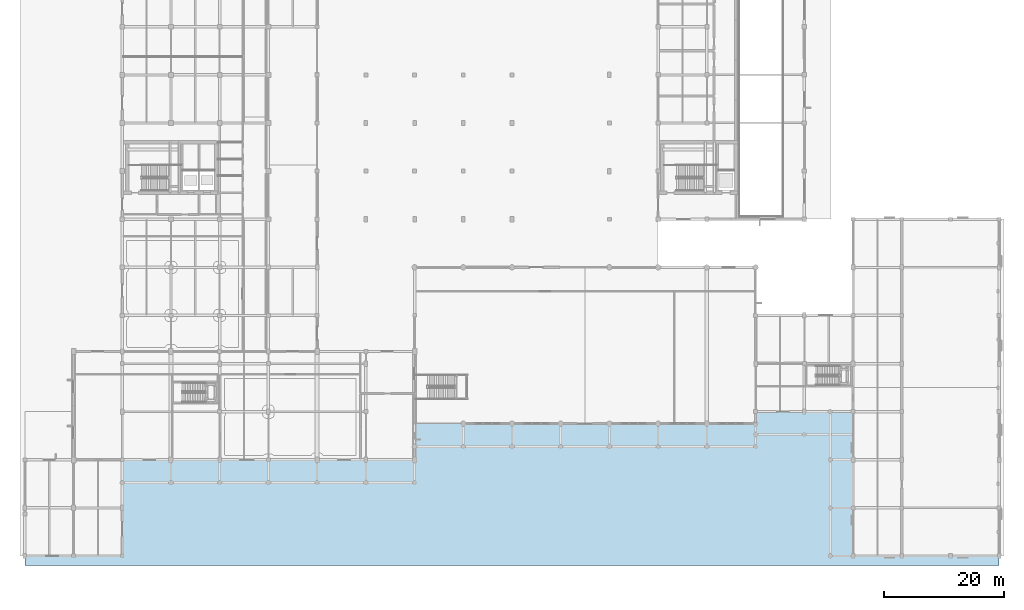
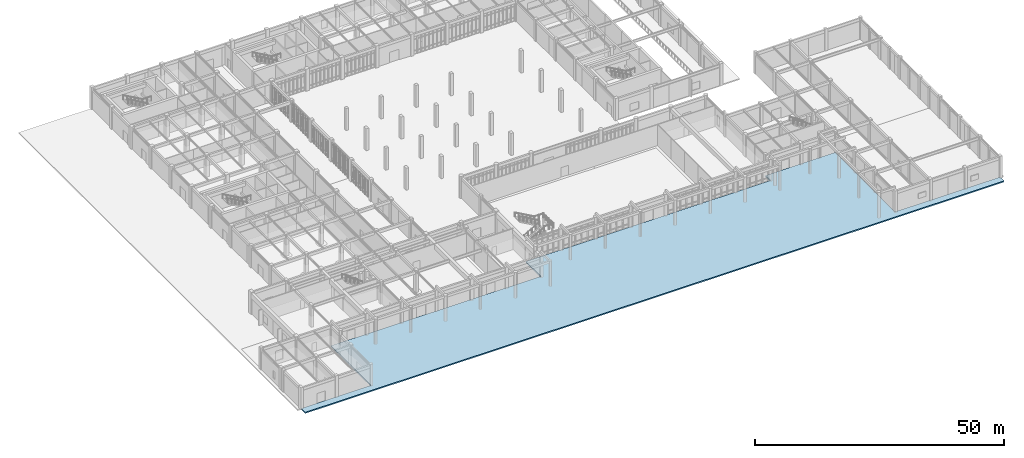
# One storey, part 30 of 62: 1 slab.
"""IFC4 building model written with IfcOpenShell, lengths in metres."""

import ifcopenshell
import ifcopenshell.guid

model = None  # the IFC model being written
_history = None  # IfcOwnerHistory: only IFC2X3 demands one
_inside = {}  # id of a spatial element -> (the spatial element, [elements in it])
_under = {}  # id of a project, library or spatial element -> (it, [spatial elements below it])
_declared = {}  # id of a project -> (the project, [libraries it declares])
_typed = {}  # id of a type object -> (the type object, [elements of that type])
_made_of = {}  # id of a material, layer set ... -> (it, [elements and type objects made of it])


def new_model(schema):
    """Start an empty IFC model of exactly this schema.

    Asked for "IFC4X3", IfcOpenShell would pick the latest addendum, in which some entities
    have other attributes; the version numbers below select the first issue.
    IFC2X3 requires an IfcOwnerHistory on every rooted entity: one is made here for all.
    """
    global model, _history
    if schema == "IFC4X3":
        model = ifcopenshell.file(schema_version=(4, 3, 0, 0))
    else:
        model = ifcopenshell.file(schema=schema)
    _inside.clear()
    _under.clear()
    _declared.clear()
    _typed.clear()
    _made_of.clear()
    _history = None
    if model.schema == "IFC2X3":
        org = make("IfcOrganization", Name="unknown")
        user = make(
            "IfcPersonAndOrganization",
            ThePerson=make("IfcPerson", FamilyName="unknown"),
            TheOrganization=org,
        )
        app = make(
            "IfcApplication",
            ApplicationDeveloper=org,
            Version="unknown",
            ApplicationFullName="unknown",
            ApplicationIdentifier="unknown",
        )
        _history = make(
            "IfcOwnerHistory",
            OwningUser=user,
            OwningApplication=app,
            ChangeAction="ADDED",
            CreationDate=0,
        )
    return model


def make(cls, **values):
    """One entity of the class cls with the attributes given. An attribute that is None is left unset."""
    return model.create_entity(
        cls, **{name: value for name, value in values.items() if value is not None}
    )


def rooted(cls, **values):
    """An entity with a GlobalId (a new one), such as an element, a storey or a relation."""
    return make(cls, GlobalId=ifcopenshell.guid.new(), OwnerHistory=_history, **values)


def si_unit(unit_type, name, prefix=None):
    """IfcSIUnit, for example si_unit("LENGTHUNIT", "METRE", prefix="MILLI")."""
    return make("IfcSIUnit", UnitType=unit_type, Prefix=prefix, Name=name)


def assignment(units):
    """IfcUnitAssignment: the units of a project."""
    return None if units is None else make("IfcUnitAssignment", Units=units)


def point(xyz):
    """IfcCartesianPoint."""
    return None if xyz is None else make("IfcCartesianPoint", Coordinates=xyz)


def direction(xyz):
    """IfcDirection."""
    return None if xyz is None else make("IfcDirection", DirectionRatios=xyz)


def frame(location, z_axis=None, x_axis=None):
    """IfcAxis2Placement3D, a coordinate frame: its origin and axes. An axis left out is left unset."""
    return make(
        "IfcAxis2Placement3D",
        Location=point(location),
        Axis=direction(z_axis),
        RefDirection=direction(x_axis),
    )


def origin():
    """The frame at (0, 0, 0) with its axes left unset."""
    return frame((0.0, 0.0, 0.0))


def place(relative_to, where):
    """IfcLocalPlacement: puts the frame where relative to a parent placement (None: the world)."""
    return make(
        "IfcLocalPlacement", PlacementRelTo=relative_to, RelativePlacement=where
    )


def context(
    kind, dimensions, precision=None, world=None, true_north=None, identifier=None
):
    """IfcGeometricRepresentationContext, for example the 3D "Model" context."""
    return make(
        "IfcGeometricRepresentationContext",
        ContextIdentifier=identifier,
        ContextType=kind,
        CoordinateSpaceDimension=dimensions,
        Precision=precision,
        WorldCoordinateSystem=world,
        TrueNorth=true_north,
    )


def subcontext(parent, identifier, kind, view, scale=None):
    """IfcGeometricRepresentationSubContext, for example "Body" below "Model"."""
    return make(
        "IfcGeometricRepresentationSubContext",
        ContextIdentifier=identifier,
        ContextType=kind,
        ParentContext=parent,
        TargetScale=scale,
        TargetView=view,
    )


def project(units=None, contexts=None):
    """IfcProject with its units and contexts."""
    return rooted(
        "IfcProject",
        Name="project",
        RepresentationContexts=contexts,
        UnitsInContext=assignment(units),
    )


def spatial(cls, under=None, at=None, **own):
    """A site, building, storey or space (cls), placed at a placement, below another one or the project."""
    s = rooted(cls, ObjectPlacement=at, **own)
    if under is not None:
        _under.setdefault(under.id(), (under, []))[1].append(s)
    return s


def polyline(points):
    """IfcPolyline through the points."""
    return make("IfcPolyline", Points=[point(p) for p in points])


def outline(outer, holes=None, kind="AREA"):
    """IfcArbitraryClosedProfileDef: a profile drawn as a closed curve; with holes, ...WithVoids."""
    if holes is None:
        return make("IfcArbitraryClosedProfileDef", ProfileType=kind, OuterCurve=outer)
    return make(
        "IfcArbitraryProfileDefWithVoids",
        ProfileType=kind,
        OuterCurve=outer,
        InnerCurves=holes,
    )


def extrude(swept, where, along, depth):
    """IfcExtrudedAreaSolid: the profile swept, set in the frame where, extruded along a direction by depth."""
    return make(
        "IfcExtrudedAreaSolid",
        SweptArea=swept,
        Position=where,
        ExtrudedDirection=direction(along),
        Depth=depth,
    )


def shape(context_of_items, identifier, shape_type, items):
    """IfcShapeRepresentation: the items that make up one representation, for example the "Body"."""
    return make(
        "IfcShapeRepresentation",
        ContextOfItems=context_of_items,
        RepresentationIdentifier=identifier,
        RepresentationType=shape_type,
        Items=items,
    )


def material(Name=None, Category=None):
    """IfcMaterial."""
    return make("IfcMaterial", Name=Name, Category=Category)


def layer(
    of_material, thickness, ventilated=None, Name=None, Category=None, Priority=None
):
    """IfcMaterialLayer: one layer of a wall or slab, of a material (None: an air gap)."""
    return make(
        "IfcMaterialLayer",
        Material=of_material,
        LayerThickness=thickness,
        IsVentilated=ventilated,
        Name=Name,
        Category=Category,
        Priority=Priority,
    )


def layer_set(layers, Name=None):
    """IfcMaterialLayerSet."""
    return make("IfcMaterialLayerSet", MaterialLayers=layers, LayerSetName=Name)


def made_of(thing, what):
    """Note that an element or type object is made of a material, layer set ...; save() writes the relation."""
    if what is not None:
        _made_of.setdefault(what.id(), (what, []))[1].append(thing)
    return thing


def type_object(cls, material=None, **own):
    """A type object (cls), such as IfcWallType, which elements share."""
    return made_of(rooted(cls, **own), material)


def element(
    cls,
    number,
    at=None,
    inside=None,
    cuts=None,
    type_object=None,
    material=None,
    context=None,
    identifier="Body",
    shape_type=None,
    held_by="IfcProductDefinitionShape",
    body=None,
    shapes=None,
    **own,
):
    """One element of the class cls, such as IfcWall. Its Tag is "e" and its number.

    at: its placement. inside: the storey or other place that contains it. cuts: it is an
    opening in that element (IfcRelVoidsElement). A single representation is given by context,
    identifier, shape_type and body (its items); several are given by shapes. held_by: the class
    of the entity that holds the representations. save() writes the other relations.
    """
    e = rooted(cls, Tag="e%d" % number, ObjectPlacement=at, **own)
    if body is not None:
        shapes = [shape(context, identifier, shape_type, body)]
    if shapes is not None:
        e.Representation = make(held_by, Representations=shapes)
    if inside is not None:
        _inside.setdefault(inside.id(), (inside, []))[1].append(e)
    if cuts is not None:
        rooted(
            "IfcRelVoidsElement", RelatingBuildingElement=cuts, RelatedOpeningElement=e
        )
    if type_object is not None:
        _typed.setdefault(type_object.id(), (type_object, []))[1].append(e)
    return made_of(e, material)


def aggregate(whole, parts):
    """IfcRelAggregates: a whole, such as a stair, and the parts it consists of."""
    return rooted("IfcRelAggregates", RelatingObject=whole, RelatedObjects=parts)


def save(model, path):
    """Write the relations noted so far, then the file.

    IfcRelAggregates (storeys below a building ...), IfcRelContainedInSpatialStructure (elements
    in a storey), IfcRelDefinesByType, IfcRelAssociatesMaterial and IfcRelDeclares: one each for
    every whole, place, type object, material and project.
    """
    for whole, parts in _under.values():
        aggregate(whole, parts)
    for where, things in _inside.values():
        rooted(
            "IfcRelContainedInSpatialStructure",
            RelatedElements=things,
            RelatingStructure=where,
        )
    for kind, things in _typed.values():
        rooted("IfcRelDefinesByType", RelatedObjects=things, RelatingType=kind)
    for what, things in _made_of.values():
        rooted("IfcRelAssociatesMaterial", RelatedObjects=things, RelatingMaterial=what)
    for by, libraries in _declared.values():
        rooted("IfcRelDeclares", RelatingContext=by, RelatedDefinitions=libraries)
    model.write(path)


model = new_model("IFC4")

# Units and contexts
model_context = context("Model", 3, precision=1e-05, world=origin(), true_north=direction((0.0, 1.0)))
body_context = subcontext(model_context, "Body", "Model", "MODEL_VIEW")
ifc_project = project(units=[si_unit("LENGTHUNIT", "METRE"), si_unit("AREAUNIT", "SQUARE_METRE"), si_unit("VOLUMEUNIT", "CUBIC_METRE"), si_unit("PLANEANGLEUNIT", "RADIAN"), si_unit("MASSUNIT", "GRAM", prefix="KILO")], contexts=[model_context])

# Site, building, storey
site_placement = place(None, origin())
site = spatial("IfcSite", under=ifc_project, at=site_placement, CompositionType="ELEMENT")
building_placement = place(site_placement, origin())
building = spatial("IfcBuilding", under=site, at=building_placement, Name="Tarnveldt Square Police Headquarters", CompositionType="ELEMENT")
storey_placement = place(building_placement, origin())
storey = spatial("IfcBuildingStorey", under=building, at=storey_placement, Name="L00", CompositionType="ELEMENT", Elevation=0.0)

# Slab
ifc_material = material(Name="Concrete 40 MPa", Category="concrete")
ifc_layer = layer(ifc_material, 0.2900390625)
ifc_layer_set = layer_set([ifc_layer], Name="Concrete 40 MPa")
slab_type = type_object("IfcSlabType", Name="SL-APRON-290", PredefinedType="FLOOR", material=ifc_layer_set)
slab_placement = place(storey_placement, frame((0.0, 0.0, -0.2900390625)))
element("IfcSlab", 1, at=slab_placement, inside=storey, type_object=slab_type, Name="Exterior Civic Plaza Paving SLB-EXT-SQ-S-1", PredefinedType="FLOOR", context=body_context, shape_type="SweptSolid", body=[
    extrude(outline(polyline([(162.0, -1.60009765625), (0.0, -1.60009765625), (0.0, 0.0), (16.199951171875, 0.0), (16.199951171875, 16.0), (64.800048828125, 16.0), (64.800048828125, 22.0), (121.5, 22.0), (121.5, 24.0), (137.699951171875, 24.0), (137.699951171875, 0.0), (162.0, 0.0), (162.0, -1.60009765625)])), origin(), (0.0, 0.0, 1.0), 0.2900390625),
])

save(model, "model.ifc")
